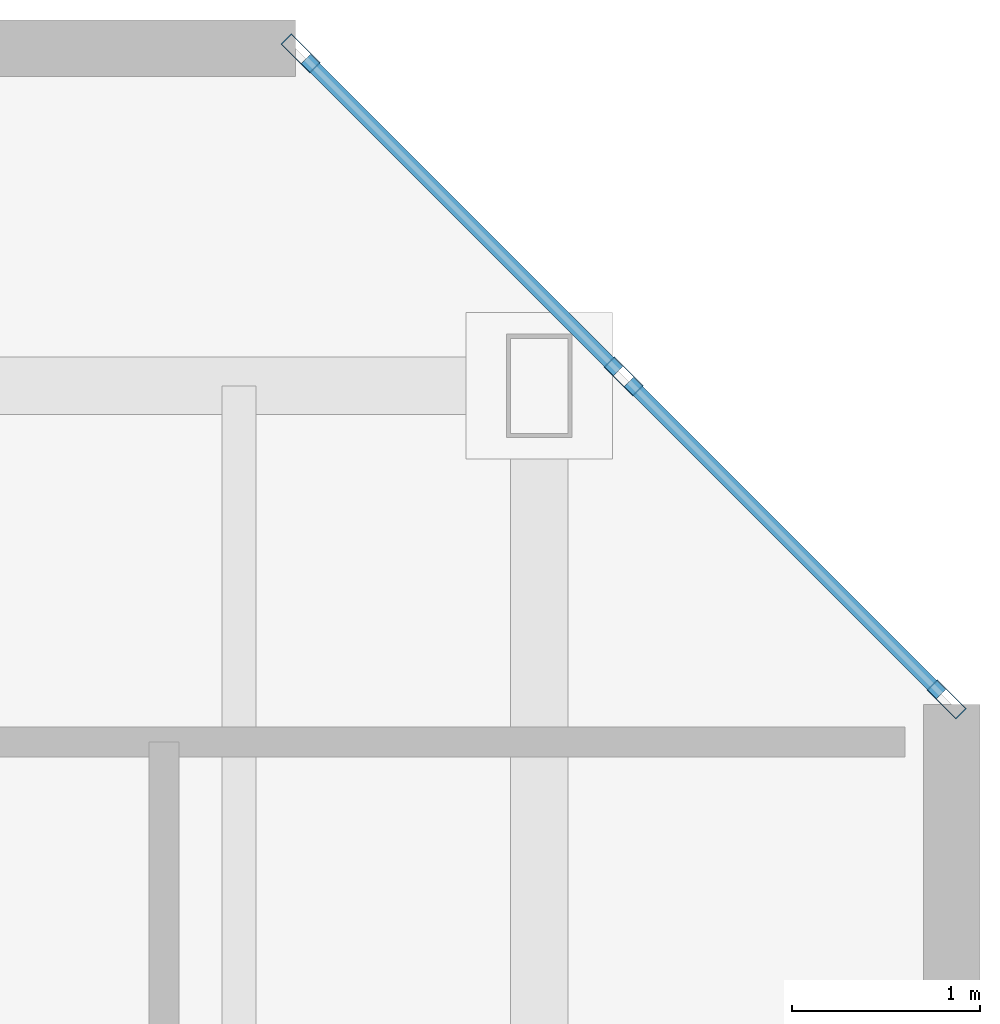
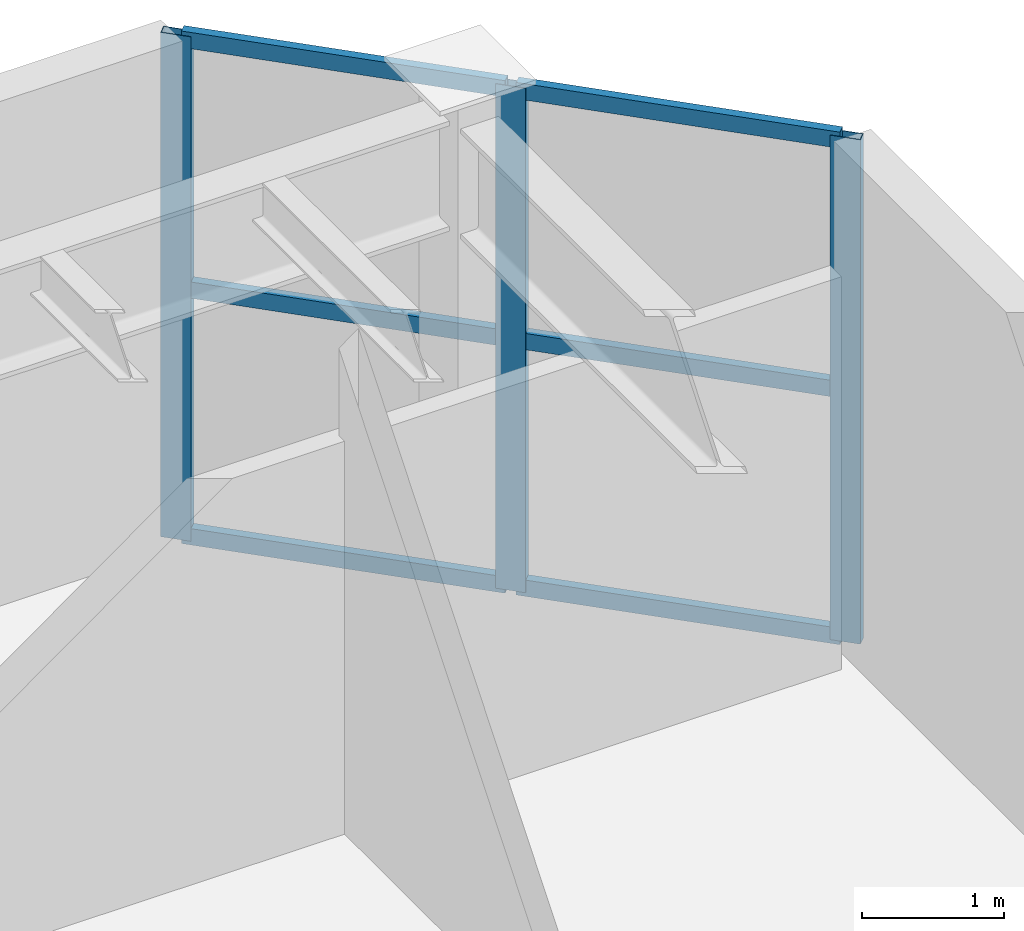
# One storey, part 12 of 25: 9 members, 1 element without a shape of its own.
"""IFC4 building model written with IfcOpenShell, lengths in metres."""

from ifc_helpers import new_model, si_unit, direction, frame, origin, origin_2d, place, context, subcontext, project, spatial, hollow_rectangle, extrude, material, layer, layer_set, material_profile, profile_set, type_object, element, aggregate, save


model = new_model("IFC4")

# Units and contexts
model_context = context("Model", 3, precision=1e-05, world=origin(), true_north=direction((0.0, 1.0)))
body_context = subcontext(model_context, "Body", "Model", "MODEL_VIEW")
ifc_project = project(units=[si_unit("LENGTHUNIT", "METRE"), si_unit("AREAUNIT", "SQUARE_METRE"), si_unit("VOLUMEUNIT", "CUBIC_METRE"), si_unit("PLANEANGLEUNIT", "RADIAN"), si_unit("MASSUNIT", "GRAM", prefix="KILO")], contexts=[model_context])

# Site, building, storey
site_placement = place(None, origin())
site = spatial("IfcSite", under=ifc_project, at=site_placement, CompositionType="ELEMENT")
building_placement = place(site_placement, origin())
building = spatial("IfcBuilding", under=site, at=building_placement, Name="Cununo Teusaquillo Station Towers", CompositionType="ELEMENT")
storey_placement = place(building_placement, frame((0.0, 0.0, 17.39990234375)))
storey = spatial("IfcBuildingStorey", under=building, at=storey_placement, Name="L04", CompositionType="ELEMENT", Elevation=17.39990234375)

# Curtain wall, members
ifc_material_1 = material(Name="Ceramic-fritted dark low-E double glazing", Category="glass")
ifc_layer = layer(ifc_material_1, 0.179931640625)
ifc_layer_set = layer_set([ifc_layer], Name="Ceramic-fritted dark low-E double glazing")
curtain_wall_type = type_object("IfcCurtainWallType", Name="CW-SYS-01", PredefinedType="USERDEFINED", material=ifc_layer_set)
curtain_wall_placement = place(storey_placement, origin())
curtain_wall = element("IfcCurtainWall", 1, at=curtain_wall_placement, inside=storey, type_object=curtain_wall_type, Name="L04 Station Podium Corner Curtain Wall 4", ObjectType="FRITTED GLAZING", PredefinedType="USERDEFINED")
ifc_material_2 = material(Name="Anodised dark bronze aluminium EN AW-6063-T6", Category="aluminium")
ifc_material_profile_1 = material_profile(ifc_material_2, hollow_rectangle(XDim=0.080078125, YDim=0.219970703125, WallThickness=0.0048828125, at=origin_2d()), Name="CW-MULL-80x220")
ifc_profile_set_1 = profile_set([ifc_material_profile_1], Name="Anodised dark bronze aluminium EN AW-6063-T6")
member_type_1 = type_object("IfcMemberType", Name="CWM-220", PredefinedType="MULLION", material=ifc_profile_set_1)
member_1_placement = place(storey_placement, frame((78.328369140625, 47.9716796875, 0.0), z_axis=(0.0, 0.0, 1.0), x_axis=(0.707106781187, 0.707106781187, 0.0)))
member_1 = element("IfcMember", 2, at=member_1_placement, type_object=member_type_1, Name="CW-01 mullion 1", PredefinedType="MULLION", context=body_context, shape_type="SweptSolid", body=[
    extrude(hollow_rectangle(XDim=0.080078125, YDim=0.219970703125, WallThickness=0.0048828125, at=origin_2d()), origin(), (0.0, 0.0, 1.0), 4.3251953125),
])
member_2_placement = place(storey_placement, frame((80.050048828125, 46.25, 0.0), z_axis=(0.0, 0.0, 1.0), x_axis=(0.707106781187, 0.707106781187, 0.0)))
member_2 = element("IfcMember", 3, at=member_2_placement, type_object=member_type_1, Name="CW-01 mullion 2", PredefinedType="MULLION", context=body_context, shape_type="SweptSolid", body=[
    extrude(hollow_rectangle(XDim=0.080078125, YDim=0.219970703125, WallThickness=0.0048828125, at=origin_2d()), origin(), (0.0, 0.0, 1.0), 4.3251953125),
])
member_3_placement = place(storey_placement, frame((81.771728515625, 44.5283203125, 0.0), z_axis=(0.0, 0.0, 1.0), x_axis=(0.707106781187, 0.707106781187, 0.0)))
member_3 = element("IfcMember", 4, at=member_3_placement, type_object=member_type_1, Name="CW-01 mullion 3", PredefinedType="MULLION", context=body_context, shape_type="SweptSolid", body=[
    extrude(hollow_rectangle(XDim=0.080078125, YDim=0.219970703125, WallThickness=0.0048828125, at=origin_2d()), origin(), (0.0, 0.0, 1.0), 4.3251953125),
])
ifc_material_3 = material(Name="Anodised dark bronze aluminium EN AW-6063-T6", Category="aluminium")
ifc_material_profile_2 = material_profile(ifc_material_3, hollow_rectangle(XDim=0.070068359375, YDim=0.139892578125, WallThickness=0.00390625, at=origin_2d()), Name="CW-TRAN-70x140")
ifc_profile_set_2 = profile_set([ifc_material_profile_2], Name="Anodised dark bronze aluminium EN AW-6063-T6")
member_type_2 = type_object("IfcMemberType", Name="CWT-140", PredefinedType="USERDEFINED", material=ifc_profile_set_2)
member_4_placement = place(storey_placement, frame((78.356689453125, 47.943359375, 0.03515625), z_axis=(0.707106781187, -0.707106781187, 0.0), x_axis=(0.707106781187, 0.707106781187, 0.0)))
member_4 = element("IfcMember", 5, at=member_4_placement, type_object=member_type_2, Name="CW-01 transom 1.1", ObjectType="TRANSOM", PredefinedType="USERDEFINED", context=body_context, shape_type="SweptSolid", body=[
    extrude(hollow_rectangle(XDim=0.070068359375, YDim=0.139892578125, WallThickness=0.00390625, at=origin_2d()), origin(), (0.0, 0.0, 1.0), 2.354736328125),
])
member_5_placement = place(storey_placement, frame((78.356689453125, 47.943359375, 2.150146484375), z_axis=(0.707106781187, -0.707106781187, 0.0), x_axis=(0.707106781187, 0.707106781187, 0.0)))
member_5 = element("IfcMember", 6, at=member_5_placement, type_object=member_type_2, Name="CW-01 transom 1.2", ObjectType="TRANSOM", PredefinedType="USERDEFINED", context=body_context, shape_type="SweptSolid", body=[
    extrude(hollow_rectangle(XDim=0.070068359375, YDim=0.139892578125, WallThickness=0.00390625, at=origin_2d()), origin(), (0.0, 0.0, 1.0), 2.354736328125),
])
member_6_placement = place(storey_placement, frame((78.356689453125, 47.943359375, 4.2900390625), z_axis=(0.707106781187, -0.707106781187, 0.0), x_axis=(0.707106781187, 0.707106781187, 0.0)))
member_6 = element("IfcMember", 7, at=member_6_placement, type_object=member_type_2, Name="CW-01 transom 1.3", ObjectType="TRANSOM", PredefinedType="USERDEFINED", context=body_context, shape_type="SweptSolid", body=[
    extrude(hollow_rectangle(XDim=0.070068359375, YDim=0.139892578125, WallThickness=0.00390625, at=origin_2d()), origin(), (0.0, 0.0, 1.0), 2.354736328125),
])
member_7_placement = place(storey_placement, frame((80.078369140625, 46.2216796875, 0.03515625), z_axis=(0.707106781187, -0.707106781187, 0.0), x_axis=(0.707106781187, 0.707106781187, 0.0)))
member_7 = element("IfcMember", 8, at=member_7_placement, type_object=member_type_2, Name="CW-01 transom 2.1", ObjectType="TRANSOM", PredefinedType="USERDEFINED", context=body_context, shape_type="SweptSolid", body=[
    extrude(hollow_rectangle(XDim=0.070068359375, YDim=0.139892578125, WallThickness=0.00390625, at=origin_2d()), origin(), (0.0, 0.0, 1.0), 2.354736328125),
])
member_8_placement = place(storey_placement, frame((80.078369140625, 46.2216796875, 2.150146484375), z_axis=(0.707106781187, -0.707106781187, 0.0), x_axis=(0.707106781187, 0.707106781187, 0.0)))
member_8 = element("IfcMember", 9, at=member_8_placement, type_object=member_type_2, Name="CW-01 transom 2.2", ObjectType="TRANSOM", PredefinedType="USERDEFINED", context=body_context, shape_type="SweptSolid", body=[
    extrude(hollow_rectangle(XDim=0.070068359375, YDim=0.139892578125, WallThickness=0.00390625, at=origin_2d()), origin(), (0.0, 0.0, 1.0), 2.354736328125),
])
member_9_placement = place(storey_placement, frame((80.078369140625, 46.2216796875, 4.2900390625), z_axis=(0.707106781187, -0.707106781187, 0.0), x_axis=(0.707106781187, 0.707106781187, 0.0)))
member_9 = element("IfcMember", 10, at=member_9_placement, type_object=member_type_2, Name="CW-01 transom 2.3", ObjectType="TRANSOM", PredefinedType="USERDEFINED", context=body_context, shape_type="SweptSolid", body=[
    extrude(hollow_rectangle(XDim=0.070068359375, YDim=0.139892578125, WallThickness=0.00390625, at=origin_2d()), origin(), (0.0, 0.0, 1.0), 2.354736328125),
])
aggregate(curtain_wall, [member_1, member_2, member_3, member_4, member_5, member_6, member_7, member_8, member_9])

save(model, "model.ifc")
